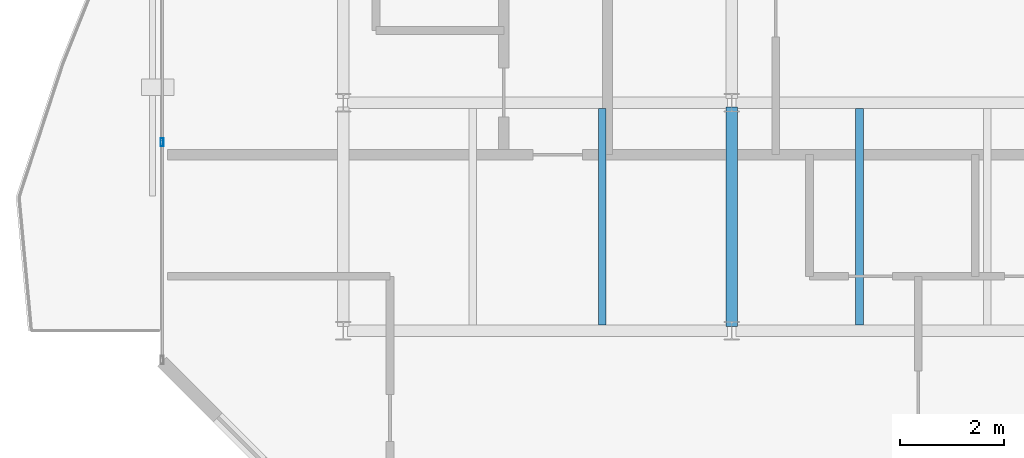
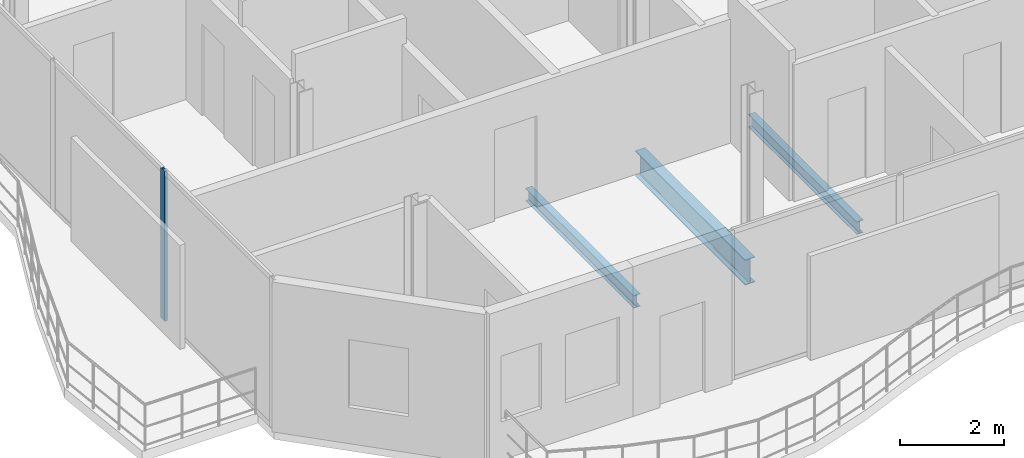
# One storey, part 5 of 22: 3 beams, 1 member, 1 element without a shape of its own.
"""IFC4 building model written with IfcOpenShell, lengths in metres."""

from ifc_helpers import new_model, si_unit, direction, frame, origin, origin_2d, place, context, subcontext, project, spatial, hollow_rectangle, i_section, extrude, material, layer, layer_set, material_profile, profile_set, type_object, element, aggregate, save


model = new_model("IFC4")

# Units and contexts
model_context = context("Model", 3, precision=1e-05, world=origin(), true_north=direction((0.0, 1.0)))
body_context = subcontext(model_context, "Body", "Model", "MODEL_VIEW")
ifc_project = project(units=[si_unit("LENGTHUNIT", "METRE"), si_unit("AREAUNIT", "SQUARE_METRE"), si_unit("VOLUMEUNIT", "CUBIC_METRE"), si_unit("PLANEANGLEUNIT", "RADIAN"), si_unit("MASSUNIT", "GRAM", prefix="KILO")], contexts=[model_context])

# Site, building, storey
site_placement = place(None, origin())
site = spatial("IfcSite", under=ifc_project, at=site_placement, CompositionType="ELEMENT")
building_placement = place(site_placement, origin())
building = spatial("IfcBuilding", under=site, at=building_placement, Name="Catumbela Crestline Tower", CompositionType="ELEMENT")
storey_placement = place(building_placement, frame((0.0, 0.0, 226.0)))
storey = spatial("IfcBuildingStorey", under=building, at=storey_placement, Name="L58", CompositionType="ELEMENT", Elevation=226.0)

# Beams
ifc_material_1 = material(Name="Structural steel S355J2", Category="steel")
ifc_material_profile_1 = material_profile(ifc_material_1, i_section(OverallWidth=0.22, OverallDepth=0.6, WebThickness=0.012, FlangeThickness=0.019, FilletRadius=0.024, at=origin_2d()), Name="IPE 600")
ifc_profile_set_1 = profile_set([ifc_material_profile_1], Name="Structural steel S355J2")
beam_type_1 = type_object("IfcBeamType", Name="BG-IPE600", PredefinedType="BEAM", material=ifc_profile_set_1)
beam_placement = place(storey_placement, frame((16.0, 13.68, -0.56), z_axis=(0.0, 1.0, 0.0), x_axis=(-1.0, 0.0, 0.0)))
element("IfcBeam", 1, at=beam_placement, inside=storey, type_object=beam_type_1, Name="L58 Beam BM-L58-WNS33", PredefinedType="BEAM", context=body_context, shape_type="SweptSolid", body=[
    extrude(i_section(OverallWidth=0.22, OverallDepth=0.6, WebThickness=0.012, FlangeThickness=0.019, FilletRadius=0.024, at=origin_2d()), origin(), (0.0, 0.0, 1.0), 4.24),
])
ifc_material_profile_2 = material_profile(ifc_material_1, i_section(OverallWidth=0.15, OverallDepth=0.3, WebThickness=0.0071, FlangeThickness=0.0107, FilletRadius=0.015, at=origin_2d()), Name="IPE 300")
ifc_profile_set_2 = profile_set([ifc_material_profile_2], Name="Structural steel S355J2")
beam_type_2 = type_object("IfcBeamType", Name="BJ-IPE300", PredefinedType="JOIST", material=ifc_profile_set_2)
for number, where, z_axis, x_axis, name in (
    (2, (13.5, 13.71, -0.41), (0.0, 1.0, 0.0), (-1.0, 0.0, 0.0), "L58 Joist JS-L58-WG37"),
    (3, (18.467, 13.71, -0.41), (0.0, 1.0, 0.0), (-1.0, 0.0, 0.0), "L58 Joist JS-L58-WG38"),
):
    element("IfcBeam", number, at=place(storey_placement, frame(where, z_axis=z_axis, x_axis=x_axis)), inside=storey, type_object=beam_type_2, Name=name, PredefinedType="JOIST", context=body_context, shape_type="SweptSolid", body=[
        extrude(i_section(OverallWidth=0.15, OverallDepth=0.3, WebThickness=0.0071, FlangeThickness=0.0107, FilletRadius=0.015, at=origin_2d()), origin(), (0.0, 0.0, 1.0), 4.18),
    ])

# Curtain wall, member
ifc_material_2 = material(Name="Aluminium alloy AW-6060-T66", Category="aluminium")
ifc_layer = layer(ifc_material_2, 0.18, Name="Aluminium alloy AW-6060-T66")
ifc_layer_set = layer_set([ifc_layer], Name="Aluminium alloy AW-6060-T66")
curtain_wall_type = type_object("IfcCurtainWallType", Name="CWU-Z4", PredefinedType="USERDEFINED", material=ifc_layer_set)
curtain_wall_placement = place(storey_placement, origin())
curtain_wall = element("IfcCurtainWall", 4, at=curtain_wall_placement, inside=storey, type_object=curtain_wall_type, Name="L58 Unitised Curtain Wall CW-L58-E9S2", ObjectType="UNITISED", PredefinedType="USERDEFINED")
ifc_material_profile_3 = material_profile(ifc_material_2, hollow_rectangle(XDim=0.06, YDim=0.16, WallThickness=0.004, at=origin_2d()), Name="ALU 160x60x4")
ifc_profile_set_3 = profile_set([ifc_material_profile_3], Name="Aluminium alloy AW-6060-T66")
member_type = type_object("IfcMemberType", Name="MUL-160X60", PredefinedType="MULLION", material=ifc_profile_set_3)
member_placement = place(storey_placement, frame((5.0, 17.24, 0.0), z_axis=(0.0, 0.0, 1.0), x_axis=(1.0, 0.0, 0.0)))
member = element("IfcMember", 5, at=member_placement, type_object=member_type, Name="CWU-Z4 mullion 5", PredefinedType="MULLION", context=body_context, shape_type="SweptSolid", body=[
    extrude(hollow_rectangle(XDim=0.06, YDim=0.16, WallThickness=0.004, at=origin_2d()), origin(), (0.0, 0.0, 1.0), 3.53),
])
aggregate(curtain_wall, [member])

save(model, "model.ifc")
